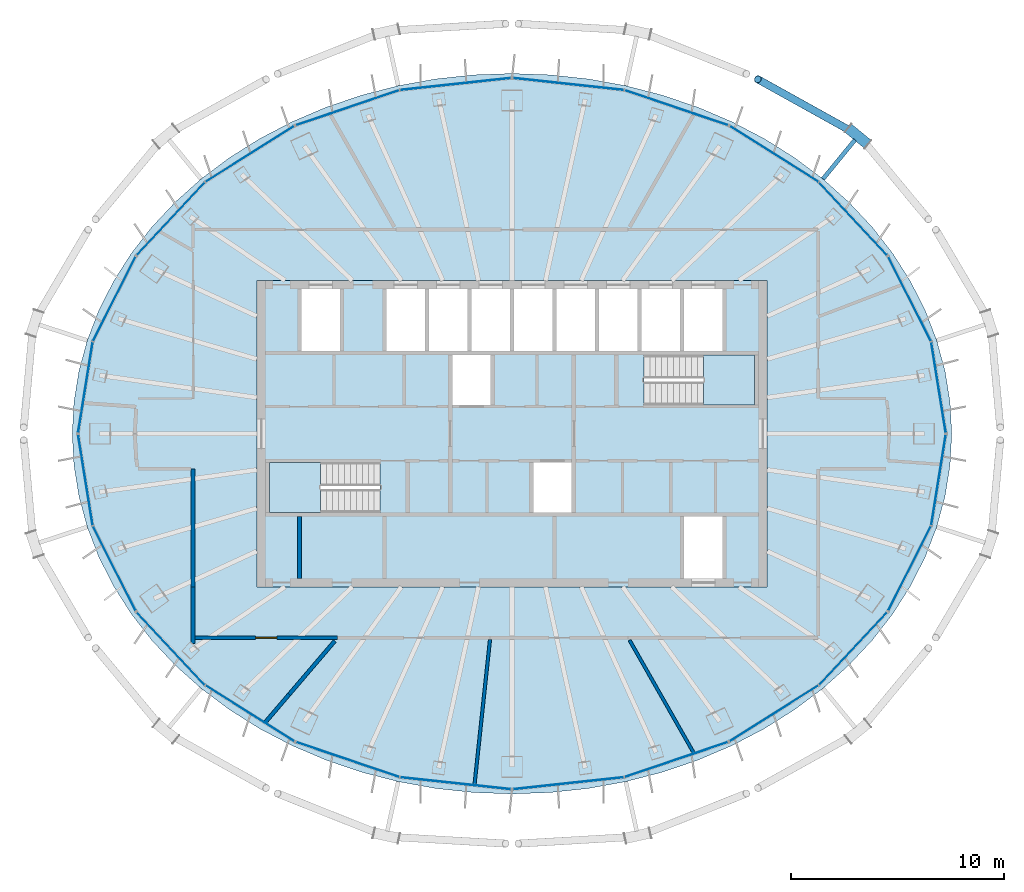
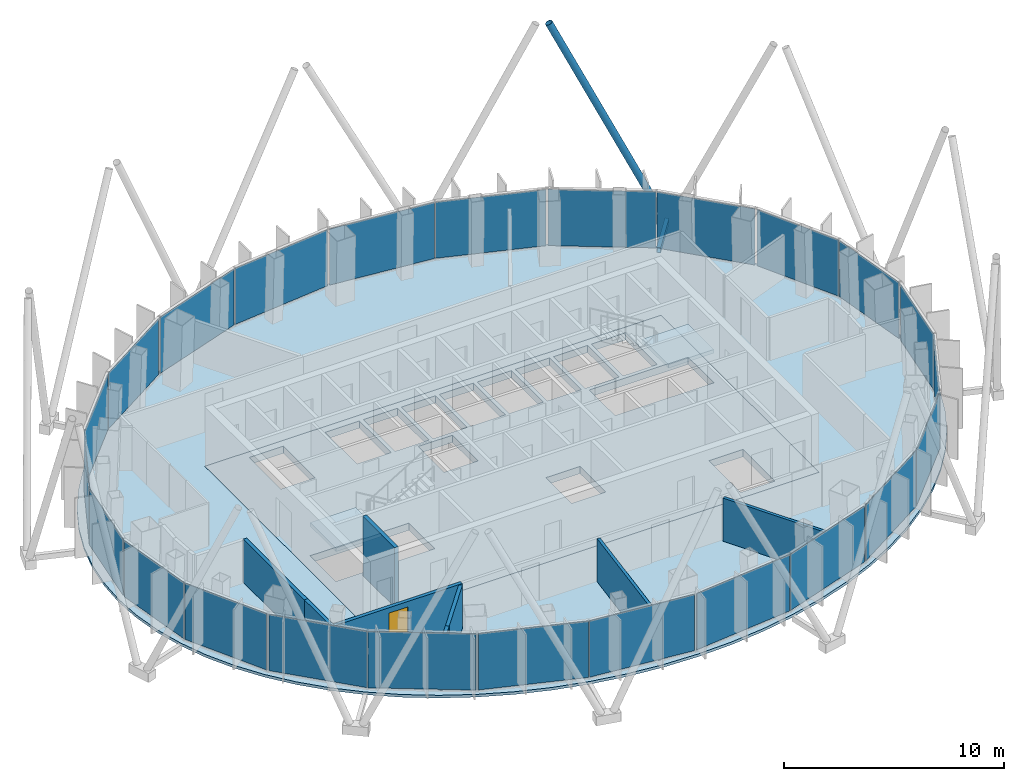
# One storey, part 8 of 18: 24 plates, 8 walls, 4 slabs, 3 members, 1 door, 1 opening, 14 elements without a shape of their own.
"""IFC4 building model written with IfcOpenShell, lengths in metres."""

from ifc_helpers import new_model, si_unit, direction, frame, frame_2d, origin, origin_2d, place, context, subcontext, project, spatial, polyline, rectangle, hollow_rectangle, hollow_circle, outline, extrude, material, layer, layer_set, material_profile, profile_set, type_object, element, fill, aggregate, save


model = new_model("IFC4")

# Units and contexts
model_context = context("Model", 3, precision=1e-05, world=origin(), true_north=direction((0.0, 1.0)))
body_context = subcontext(model_context, "Body", "Model", "MODEL_VIEW")
ifc_project = project(units=[si_unit("LENGTHUNIT", "METRE"), si_unit("AREAUNIT", "SQUARE_METRE"), si_unit("VOLUMEUNIT", "CUBIC_METRE"), si_unit("PLANEANGLEUNIT", "RADIAN"), si_unit("MASSUNIT", "GRAM", prefix="KILO")], contexts=[model_context])

# Site, building, storey
site_placement = place(None, origin())
site = spatial("IfcSite", under=ifc_project, at=site_placement, CompositionType="ELEMENT")
building_placement = place(site_placement, origin())
building = spatial("IfcBuilding", under=site, at=building_placement, Name="Siaravel Broadcast Tower", CompositionType="ELEMENT")
storey_placement = place(building_placement, frame((0.0, 0.0, 261.5)))
storey = spatial("IfcBuildingStorey", under=building, at=storey_placement, Name="L64", CompositionType="ELEMENT", Elevation=261.5)

# Members
ifc_material_1 = material(Name="Steel S460", Category="steel")
ifc_material_profile_1 = material_profile(ifc_material_1, hollow_circle(Radius=0.177734375, WallThickness=0.012451171875, at=origin_2d()))
ifc_profile_set_1 = profile_set([ifc_material_profile_1], Name="Steel S460")
member_type_1 = type_object("IfcMemberType", Name="Diagrid diagonal CHS 355.6x12.5", PredefinedType="BRACE", material=ifc_profile_set_1)
member_1_placement = place(storey_placement, frame((16.04443359375, 14.1787109375, 0.02001953125), z_axis=(-0.379036862, 0.210527879, 0.901115458), x_axis=(-0.485558059, -0.874204422, 0.0)))
element("IfcMember", 1, at=member_1_placement, inside=storey, type_object=member_type_1, Name="Diagrid diagonal R26 station 09A", PredefinedType="BRACE", context=body_context, shape_type="SweptSolid", body=[
    extrude(hollow_circle(Radius=0.177734375, WallThickness=0.012451171875, at=origin_2d()), origin(), (0.0, 0.0, 1.0), 11.82958984375),
])
ifc_material_profile_2 = material_profile(ifc_material_1, hollow_rectangle(XDim=0.5, YDim=0.5, WallThickness=0.031982421875, at=origin_2d()))
ifc_profile_set_2 = profile_set([ifc_material_profile_2], Name="Steel S460")
member_type_2 = type_object("IfcMemberType", Name="Diagrid node BOX 500x500x32", PredefinedType="USERDEFINED", material=ifc_profile_set_2)
member_2_placement = place(storey_placement, frame((16.732177734375, 13.615234375, -0.199951171875), z_axis=(-0.7735905, 0.633685835, 0.0), x_axis=(-0.633685835, -0.7735905, 0.0)))
element("IfcMember", 2, at=member_2_placement, inside=storey, type_object=member_type_2, Name="Diagrid node R26 station 09", ObjectType="DIAGRID NODE", PredefinedType="USERDEFINED", context=body_context, shape_type="SweptSolid", body=[
    extrude(hollow_rectangle(XDim=0.5, YDim=0.5, WallThickness=0.031982421875, at=origin_2d()), origin(), (0.0, 0.0, 1.0), 1.1865234375),
])
ifc_material_profile_3 = material_profile(ifc_material_1, hollow_rectangle(XDim=0.199951171875, YDim=0.300048828125, WallThickness=0.012451171875, at=origin_2d()))
ifc_profile_set_3 = profile_set([ifc_material_profile_3], Name="Steel S460")
member_type_3 = type_object("IfcMemberType", Name="Diagrid node arm RHS 300x200x12.5", PredefinedType="STRUT", material=ifc_profile_set_3)
member_3_placement = place(storey_placement, frame((14.62548828125, 11.97998046875, -0.199951171875), z_axis=(0.633734814, 0.773550377, 0.0), x_axis=(-0.773550377, 0.633734814, 0.0)))
element("IfcMember", 3, at=member_3_placement, inside=storey, type_object=member_type_3, Name="Node arm R26 station 09", PredefinedType="STRUT", context=body_context, shape_type="SweptSolid", body=[
    extrude(hollow_rectangle(XDim=0.199951171875, YDim=0.300048828125, WallThickness=0.012451171875, at=origin_2d()), origin(), (0.0, 0.0, 1.0), 2.380126953125),
])

# Curtain wall, plates
ifc_material_2 = material(Name="Aluminium 6063-T6", Category="aluminium")
ifc_layer_1 = layer(ifc_material_2, 0.159912109375)
ifc_layer_set_1 = layer_set([ifc_layer_1], Name="Aluminium 6063-T6")
curtain_wall_type = type_object("IfcCurtainWallType", Name="Unitised curtain wall, zone 4", PredefinedType="NOTDEFINED", material=ifc_layer_set_1)
curtain_wall_1_placement = place(storey_placement, origin())
curtain_wall_1 = element("IfcCurtainWall", 4, at=curtain_wall_1_placement, inside=storey, type_object=curtain_wall_type, Name="L64 Unitised curtain wall, zone 4 01", PredefinedType="NOTDEFINED")
ifc_material_3 = material(Name="Tinted insulated glass", Category="glass")
ifc_layer_2 = layer(ifc_material_3, 0.02587890625)
ifc_layer_set_2 = layer_set([ifc_layer_2], Name="Tinted insulated glass")
plate_type = type_object("IfcPlateType", Name="CW-Z4 glass panel", PredefinedType="CURTAIN_PANEL", material=ifc_layer_set_2)
plate_1_placement = place(storey_placement, frame((20.06298828125, 2.179931640625, 0.08984375), z_axis=(0.0, 0.0, 1.0), x_axis=(-0.158684574, 0.98732933, 0.0)))
plate_1 = element("IfcPlate", 5, at=plate_1_placement, type_object=plate_type, Name="CW-Z4 glass panel", PredefinedType="CURTAIN_PANEL", context=body_context, shape_type="SweptSolid", body=[
    extrude(rectangle(XDim=4.3056640625, YDim=0.02587890625, at=origin_2d()), origin(), (0.0, 0.0, 1.0), 3.1201171875),
])
plate_2_placement = place(storey_placement, frame((18.702880859375, 6.33837890625, 0.08984375), z_axis=(0.0, 0.0, 1.0), x_axis=(-0.451258942, 0.892393056, 0.0)))
plate_2 = element("IfcPlate", 6, at=plate_2_placement, type_object=plate_type, Name="CW-Z4 glass panel", PredefinedType="CURTAIN_PANEL", context=body_context, shape_type="SweptSolid", body=[
    extrude(rectangle(XDim=4.440185546875, YDim=0.02587890625, at=origin_2d()), origin(), (0.0, 0.0, 1.0), 3.1201171875),
])
aggregate(curtain_wall_1, [plate_1, plate_2])

curtain_wall_2_placement = place(storey_placement, origin())
curtain_wall_2 = element("IfcCurtainWall", 7, at=curtain_wall_2_placement, inside=storey, type_object=curtain_wall_type, Name="L64 Unitised curtain wall, zone 4 02", PredefinedType="NOTDEFINED")
plate_3_placement = place(storey_placement, frame((16.044189453125, 10.111083984375, 0.08984375), z_axis=(0.0, 0.0, 1.0), x_axis=(-0.683653472, 0.729806776, 0.0)))
plate_3 = element("IfcPlate", 8, at=plate_3_placement, type_object=plate_type, Name="CW-Z4 glass panel", PredefinedType="CURTAIN_PANEL", context=body_context, shape_type="SweptSolid", body=[
    extrude(rectangle(XDim=4.66455078125, YDim=0.02587890625, at=origin_2d()), origin(), (0.0, 0.0, 1.0), 3.1201171875),
])
plate_4_placement = place(storey_placement, frame((12.32861328125, 13.154541015625, 0.08984375), z_axis=(0.0, 0.0, 1.0), x_axis=(-0.846649661, 0.532150684, 0.0)))
plate_4 = element("IfcPlate", 9, at=plate_4_placement, type_object=plate_type, Name="CW-Z4 glass panel", PredefinedType="CURTAIN_PANEL", context=body_context, shape_type="SweptSolid", body=[
    extrude(rectangle(XDim=4.910888671875, YDim=0.02587890625, at=origin_2d()), origin(), (0.0, 0.0, 1.0), 3.1201171875),
])
aggregate(curtain_wall_2, [plate_3, plate_4])

curtain_wall_3_placement = place(storey_placement, origin())
curtain_wall_3 = element("IfcCurtainWall", 10, at=curtain_wall_3_placement, inside=storey, type_object=curtain_wall_type, Name="L64 Unitised curtain wall, zone 4 03", PredefinedType="NOTDEFINED")
plate_5_placement = place(storey_placement, frame((7.72900390625, 15.329833984375, 0.08984375), z_axis=(0.0, 0.0, 1.0), x_axis=(-0.946976915, 0.321301606, 0.0)))
plate_5 = element("IfcPlate", 11, at=plate_5_placement, type_object=plate_type, Name="CW-Z4 glass panel", PredefinedType="CURTAIN_PANEL", context=body_context, shape_type="SweptSolid", body=[
    extrude(rectangle(XDim=5.114990234375, YDim=0.02587890625, at=origin_2d()), origin(), (0.0, 0.0, 1.0), 3.1201171875),
])
plate_6_placement = place(storey_placement, frame((2.654296875, 16.44384765625, 0.08984375), z_axis=(0.0, 0.0, 1.0), x_axis=(-0.994235554, 0.107217829, 0.0)))
plate_6 = element("IfcPlate", 12, at=plate_6_placement, type_object=plate_type, Name="CW-Z4 glass panel", PredefinedType="CURTAIN_PANEL", context=body_context, shape_type="SweptSolid", body=[
    extrude(rectangle(XDim=5.229248046875, YDim=0.02587890625, at=origin_2d()), origin(), (0.0, 0.0, 1.0), 3.1201171875),
])
aggregate(curtain_wall_3, [plate_5, plate_6])

curtain_wall_4_placement = place(storey_placement, origin())
curtain_wall_4 = element("IfcCurtainWall", 13, at=curtain_wall_4_placement, inside=storey, type_object=curtain_wall_type, Name="L64 Unitised curtain wall, zone 4 04", PredefinedType="NOTDEFINED")
plate_7_placement = place(storey_placement, frame((-2.654296875, 16.44384765625, 0.08984375), z_axis=(0.0, 0.0, 1.0), x_axis=(-0.994235554, -0.107217829, 0.0)))
plate_7 = element("IfcPlate", 14, at=plate_7_placement, type_object=plate_type, Name="CW-Z4 glass panel", PredefinedType="CURTAIN_PANEL", context=body_context, shape_type="SweptSolid", body=[
    extrude(rectangle(XDim=5.229248046875, YDim=0.02587890625, at=origin_2d()), origin(), (0.0, 0.0, 1.0), 3.1201171875),
])
plate_8_placement = place(storey_placement, frame((-7.72900390625, 15.329833984375, 0.08984375), z_axis=(0.0, 0.0, 1.0), x_axis=(-0.946976915, -0.321301606, 0.0)))
plate_8 = element("IfcPlate", 15, at=plate_8_placement, type_object=plate_type, Name="CW-Z4 glass panel", PredefinedType="CURTAIN_PANEL", context=body_context, shape_type="SweptSolid", body=[
    extrude(rectangle(XDim=5.114990234375, YDim=0.02587890625, at=origin_2d()), origin(), (0.0, 0.0, 1.0), 3.1201171875),
])
aggregate(curtain_wall_4, [plate_7, plate_8])

curtain_wall_5_placement = place(storey_placement, origin())
curtain_wall_5 = element("IfcCurtainWall", 16, at=curtain_wall_5_placement, inside=storey, type_object=curtain_wall_type, Name="L64 Unitised curtain wall, zone 4 05", PredefinedType="NOTDEFINED")
plate_9_placement = place(storey_placement, frame((-12.32861328125, 13.154541015625, 0.08984375), z_axis=(0.0, 0.0, 1.0), x_axis=(-0.846649661, -0.532150684, 0.0)))
plate_9 = element("IfcPlate", 17, at=plate_9_placement, type_object=plate_type, Name="CW-Z4 glass panel", PredefinedType="CURTAIN_PANEL", context=body_context, shape_type="SweptSolid", body=[
    extrude(rectangle(XDim=4.910888671875, YDim=0.02587890625, at=origin_2d()), origin(), (0.0, 0.0, 1.0), 3.1201171875),
])
plate_10_placement = place(storey_placement, frame((-16.044189453125, 10.111083984375, 0.08984375), z_axis=(0.0, 0.0, 1.0), x_axis=(-0.683653472, -0.729806776, 0.0)))
plate_10 = element("IfcPlate", 18, at=plate_10_placement, type_object=plate_type, Name="CW-Z4 glass panel", PredefinedType="CURTAIN_PANEL", context=body_context, shape_type="SweptSolid", body=[
    extrude(rectangle(XDim=4.66455078125, YDim=0.02587890625, at=origin_2d()), origin(), (0.0, 0.0, 1.0), 3.1201171875),
])
aggregate(curtain_wall_5, [plate_9, plate_10])

curtain_wall_6_placement = place(storey_placement, origin())
curtain_wall_6 = element("IfcCurtainWall", 19, at=curtain_wall_6_placement, inside=storey, type_object=curtain_wall_type, Name="L64 Unitised curtain wall, zone 4 06", PredefinedType="NOTDEFINED")
plate_11_placement = place(storey_placement, frame((-18.702880859375, 6.33837890625, 0.08984375), z_axis=(0.0, 0.0, 1.0), x_axis=(-0.451258942, -0.892393056, 0.0)))
plate_11 = element("IfcPlate", 20, at=plate_11_placement, type_object=plate_type, Name="CW-Z4 glass panel", PredefinedType="CURTAIN_PANEL", context=body_context, shape_type="SweptSolid", body=[
    extrude(rectangle(XDim=4.440185546875, YDim=0.02587890625, at=origin_2d()), origin(), (0.0, 0.0, 1.0), 3.1201171875),
])
plate_12_placement = place(storey_placement, frame((-20.06298828125, 2.179931640625, 0.08984375), z_axis=(0.0, 0.0, 1.0), x_axis=(-0.158684574, -0.98732933, 0.0)))
plate_12 = element("IfcPlate", 21, at=plate_12_placement, type_object=plate_type, Name="CW-Z4 glass panel", PredefinedType="CURTAIN_PANEL", context=body_context, shape_type="SweptSolid", body=[
    extrude(rectangle(XDim=4.3056640625, YDim=0.02587890625, at=origin_2d()), origin(), (0.0, 0.0, 1.0), 3.1201171875),
])
aggregate(curtain_wall_6, [plate_11, plate_12])

curtain_wall_7_placement = place(storey_placement, origin())
curtain_wall_7 = element("IfcCurtainWall", 22, at=curtain_wall_7_placement, inside=storey, type_object=curtain_wall_type, Name="L64 Unitised curtain wall, zone 4 07", PredefinedType="NOTDEFINED")
plate_13_placement = place(storey_placement, frame((-20.06298828125, -2.179931640625, 0.08984375), z_axis=(0.0, 0.0, 1.0), x_axis=(0.158684574, -0.98732933, 0.0)))
plate_13 = element("IfcPlate", 23, at=plate_13_placement, type_object=plate_type, Name="CW-Z4 glass panel", PredefinedType="CURTAIN_PANEL", context=body_context, shape_type="SweptSolid", body=[
    extrude(rectangle(XDim=4.3056640625, YDim=0.02587890625, at=origin_2d()), origin(), (0.0, 0.0, 1.0), 3.1201171875),
])
plate_14_placement = place(storey_placement, frame((-18.702880859375, -6.33837890625, 0.08984375), z_axis=(0.0, 0.0, 1.0), x_axis=(0.451258942, -0.892393056, 0.0)))
plate_14 = element("IfcPlate", 24, at=plate_14_placement, type_object=plate_type, Name="CW-Z4 glass panel", PredefinedType="CURTAIN_PANEL", context=body_context, shape_type="SweptSolid", body=[
    extrude(rectangle(XDim=4.440185546875, YDim=0.02587890625, at=origin_2d()), origin(), (0.0, 0.0, 1.0), 3.1201171875),
])
aggregate(curtain_wall_7, [plate_13, plate_14])

curtain_wall_8_placement = place(storey_placement, origin())
curtain_wall_8 = element("IfcCurtainWall", 25, at=curtain_wall_8_placement, inside=storey, type_object=curtain_wall_type, Name="L64 Unitised curtain wall, zone 4 08", PredefinedType="NOTDEFINED")
plate_15_placement = place(storey_placement, frame((-16.044189453125, -10.111083984375, 0.08984375), z_axis=(0.0, 0.0, 1.0), x_axis=(0.683653472, -0.729806776, 0.0)))
plate_15 = element("IfcPlate", 26, at=plate_15_placement, type_object=plate_type, Name="CW-Z4 glass panel", PredefinedType="CURTAIN_PANEL", context=body_context, shape_type="SweptSolid", body=[
    extrude(rectangle(XDim=4.66455078125, YDim=0.02587890625, at=origin_2d()), origin(), (0.0, 0.0, 1.0), 3.1201171875),
])
plate_16_placement = place(storey_placement, frame((-12.32861328125, -13.154541015625, 0.08984375), z_axis=(0.0, 0.0, 1.0), x_axis=(0.846649661, -0.532150684, 0.0)))
plate_16 = element("IfcPlate", 27, at=plate_16_placement, type_object=plate_type, Name="CW-Z4 glass panel", PredefinedType="CURTAIN_PANEL", context=body_context, shape_type="SweptSolid", body=[
    extrude(rectangle(XDim=4.910888671875, YDim=0.02587890625, at=origin_2d()), origin(), (0.0, 0.0, 1.0), 3.1201171875),
])
aggregate(curtain_wall_8, [plate_15, plate_16])

curtain_wall_9_placement = place(storey_placement, origin())
curtain_wall_9 = element("IfcCurtainWall", 28, at=curtain_wall_9_placement, inside=storey, type_object=curtain_wall_type, Name="L64 Unitised curtain wall, zone 4 09", PredefinedType="NOTDEFINED")
plate_17_placement = place(storey_placement, frame((-7.72900390625, -15.329833984375, 0.08984375), z_axis=(0.0, 0.0, 1.0), x_axis=(0.946976915, -0.321301606, 0.0)))
plate_17 = element("IfcPlate", 29, at=plate_17_placement, type_object=plate_type, Name="CW-Z4 glass panel", PredefinedType="CURTAIN_PANEL", context=body_context, shape_type="SweptSolid", body=[
    extrude(rectangle(XDim=5.114990234375, YDim=0.02587890625, at=origin_2d()), origin(), (0.0, 0.0, 1.0), 3.1201171875),
])
plate_18_placement = place(storey_placement, frame((-2.654296875, -16.44384765625, 0.08984375), z_axis=(0.0, 0.0, 1.0), x_axis=(0.994235554, -0.107217829, 0.0)))
plate_18 = element("IfcPlate", 30, at=plate_18_placement, type_object=plate_type, Name="CW-Z4 glass panel", PredefinedType="CURTAIN_PANEL", context=body_context, shape_type="SweptSolid", body=[
    extrude(rectangle(XDim=5.229248046875, YDim=0.02587890625, at=origin_2d()), origin(), (0.0, 0.0, 1.0), 3.1201171875),
])
aggregate(curtain_wall_9, [plate_17, plate_18])

curtain_wall_10_placement = place(storey_placement, origin())
curtain_wall_10 = element("IfcCurtainWall", 31, at=curtain_wall_10_placement, inside=storey, type_object=curtain_wall_type, Name="L64 Unitised curtain wall, zone 4 10", PredefinedType="NOTDEFINED")
plate_19_placement = place(storey_placement, frame((2.654296875, -16.44384765625, 0.08984375), z_axis=(0.0, 0.0, 1.0), x_axis=(0.994235554, 0.107217829, 0.0)))
plate_19 = element("IfcPlate", 32, at=plate_19_placement, type_object=plate_type, Name="CW-Z4 glass panel", PredefinedType="CURTAIN_PANEL", context=body_context, shape_type="SweptSolid", body=[
    extrude(rectangle(XDim=5.229248046875, YDim=0.02587890625, at=origin_2d()), origin(), (0.0, 0.0, 1.0), 3.1201171875),
])
plate_20_placement = place(storey_placement, frame((7.72900390625, -15.329833984375, 0.08984375), z_axis=(0.0, 0.0, 1.0), x_axis=(0.946976915, 0.321301606, 0.0)))
plate_20 = element("IfcPlate", 33, at=plate_20_placement, type_object=plate_type, Name="CW-Z4 glass panel", PredefinedType="CURTAIN_PANEL", context=body_context, shape_type="SweptSolid", body=[
    extrude(rectangle(XDim=5.114990234375, YDim=0.02587890625, at=origin_2d()), origin(), (0.0, 0.0, 1.0), 3.1201171875),
])
aggregate(curtain_wall_10, [plate_19, plate_20])

curtain_wall_11_placement = place(storey_placement, origin())
curtain_wall_11 = element("IfcCurtainWall", 34, at=curtain_wall_11_placement, inside=storey, type_object=curtain_wall_type, Name="L64 Unitised curtain wall, zone 4 11", PredefinedType="NOTDEFINED")
plate_21_placement = place(storey_placement, frame((12.32861328125, -13.154541015625, 0.08984375), z_axis=(0.0, 0.0, 1.0), x_axis=(0.846649661, 0.532150684, 0.0)))
plate_21 = element("IfcPlate", 35, at=plate_21_placement, type_object=plate_type, Name="CW-Z4 glass panel", PredefinedType="CURTAIN_PANEL", context=body_context, shape_type="SweptSolid", body=[
    extrude(rectangle(XDim=4.910888671875, YDim=0.02587890625, at=origin_2d()), origin(), (0.0, 0.0, 1.0), 3.1201171875),
])
plate_22_placement = place(storey_placement, frame((16.044189453125, -10.111083984375, 0.08984375), z_axis=(0.0, 0.0, 1.0), x_axis=(0.683653472, 0.729806776, 0.0)))
plate_22 = element("IfcPlate", 36, at=plate_22_placement, type_object=plate_type, Name="CW-Z4 glass panel", PredefinedType="CURTAIN_PANEL", context=body_context, shape_type="SweptSolid", body=[
    extrude(rectangle(XDim=4.66455078125, YDim=0.02587890625, at=origin_2d()), origin(), (0.0, 0.0, 1.0), 3.1201171875),
])
aggregate(curtain_wall_11, [plate_21, plate_22])

curtain_wall_12_placement = place(storey_placement, origin())
curtain_wall_12 = element("IfcCurtainWall", 37, at=curtain_wall_12_placement, inside=storey, type_object=curtain_wall_type, Name="L64 Unitised curtain wall, zone 4 12", PredefinedType="NOTDEFINED")
plate_23_placement = place(storey_placement, frame((18.702880859375, -6.33837890625, 0.08984375), z_axis=(0.0, 0.0, 1.0), x_axis=(0.451258942, 0.892393056, 0.0)))
plate_23 = element("IfcPlate", 38, at=plate_23_placement, type_object=plate_type, Name="CW-Z4 glass panel", PredefinedType="CURTAIN_PANEL", context=body_context, shape_type="SweptSolid", body=[
    extrude(rectangle(XDim=4.440185546875, YDim=0.02587890625, at=origin_2d()), origin(), (0.0, 0.0, 1.0), 3.1201171875),
])
plate_24_placement = place(storey_placement, frame((20.06298828125, -2.179931640625, 0.08984375), z_axis=(0.0, 0.0, 1.0), x_axis=(0.158684574, 0.98732933, 0.0)))
plate_24 = element("IfcPlate", 39, at=plate_24_placement, type_object=plate_type, Name="CW-Z4 glass panel", PredefinedType="CURTAIN_PANEL", context=body_context, shape_type="SweptSolid", body=[
    extrude(rectangle(XDim=4.3056640625, YDim=0.02587890625, at=origin_2d()), origin(), (0.0, 0.0, 1.0), 3.1201171875),
])
aggregate(curtain_wall_12, [plate_23, plate_24])

# Slabs
ifc_material_4 = material(Name="Concrete C40/50", Category="concrete")
ifc_layer_3 = layer(ifc_material_4, 0.39990234375)
ifc_layer_set_3 = layer_set([ifc_layer_3], Name="Concrete C40/50")
slab_type_1 = type_object("IfcSlabType", Name="Core floor slab 400", PredefinedType="FLOOR", material=ifc_layer_set_3)
slab_1_placement = place(storey_placement, frame((0.0, 0.0, -0.39990234375)))
element("IfcSlab", 40, at=slab_1_placement, inside=storey, type_object=slab_type_1, Name="L64 core floor", PredefinedType="FLOOR", context=body_context, shape_type="SweptSolid", body=[
    extrude(outline(polyline([(-12.0, -7.199951171875), (-12.0, 7.199951171875), (12.0, 7.199951171875), (12.0, -7.199951171875), (-12.0, -7.199951171875)]), holes=[polyline([(11.3994140625, 1.3505859375), (11.3994140625, 3.699462890625), (6.200439453125, 3.699462890625), (6.200439453125, 1.3505859375), (11.3994140625, 1.3505859375)]), polyline([(8.10009765625, -3.89990234375), (8.10009765625, -6.800048828125), (9.89990234375, -6.800048828125), (9.89990234375, -3.89990234375), (8.10009765625, -3.89990234375)]), polyline([(9.89990234375, 6.800048828125), (8.10009765625, 6.800048828125), (8.10009765625, 3.89990234375), (9.89990234375, 3.89990234375), (9.89990234375, 6.800048828125)]), polyline([(7.89990234375, 6.800048828125), (6.10009765625, 6.800048828125), (6.10009765625, 3.89990234375), (7.89990234375, 3.89990234375), (7.89990234375, 6.800048828125)]), polyline([(5.89990234375, 6.800048828125), (4.10009765625, 6.800048828125), (4.10009765625, 3.89990234375), (5.89990234375, 3.89990234375), (5.89990234375, 6.800048828125)]), polyline([(3.89990234375, 6.800048828125), (2.10009765625, 6.800048828125), (2.10009765625, 3.89990234375), (3.89990234375, 3.89990234375), (3.89990234375, 6.800048828125)]), polyline([(2.800048828125, -1.35009765625), (1.0, -1.35009765625), (1.0, -3.699951171875), (2.800048828125, -3.699951171875), (2.800048828125, -1.35009765625)]), polyline([(1.89990234375, 6.800048828125), (0.10009765625, 6.800048828125), (0.10009765625, 3.89990234375), (1.89990234375, 3.89990234375), (1.89990234375, 6.800048828125)]), polyline([(-0.10009765625, 6.800048828125), (-1.89990234375, 6.800048828125), (-1.89990234375, 3.89990234375), (-0.10009765625, 3.89990234375), (-0.10009765625, 6.800048828125)]), polyline([(-1.0, 3.699951171875), (-2.800048828125, 3.699951171875), (-2.800048828125, 1.35009765625), (-1.0, 1.35009765625), (-1.0, 3.699951171875)]), polyline([(-2.10009765625, 6.800048828125), (-3.89990234375, 6.800048828125), (-3.89990234375, 3.89990234375), (-2.10009765625, 3.89990234375), (-2.10009765625, 6.800048828125)]), polyline([(-4.10009765625, 6.800048828125), (-5.89990234375, 6.800048828125), (-5.89990234375, 3.89990234375), (-4.10009765625, 3.89990234375), (-4.10009765625, 6.800048828125)]), polyline([(-11.3994140625, -3.699462890625), (-6.200439453125, -3.699462890625), (-6.200439453125, -1.3505859375), (-11.3994140625, -1.3505859375), (-11.3994140625, -3.699462890625)]), polyline([(-8.10009765625, 6.800048828125), (-9.89990234375, 6.800048828125), (-9.89990234375, 3.89990234375), (-8.10009765625, 3.89990234375), (-8.10009765625, 6.800048828125)])]), origin(), (0.0, 0.0, 1.0), 0.39990234375),
])
ifc_layer_4 = layer(ifc_material_4, 0.14990234375)
ifc_layer_set_4 = layer_set([ifc_layer_4], Name="Concrete C40/50")
slab_type_2 = type_object("IfcSlabType", Name="SLB-FLOOR-150", PredefinedType="FLOOR", material=ifc_layer_set_4)
slab_2_placement = place(storey_placement, frame((0.0, 0.0, -0.14990234375)))
element("IfcSlab", 41, at=slab_2_placement, inside=storey, type_object=slab_type_2, Name="Floor slab", PredefinedType="FLOOR", context=body_context, shape_type="SweptSolid", body=[
    extrude(outline(polyline([(20.68359375, 0.0), (20.60498046875, 1.4765625), (20.369384765625, 2.94189453125), (19.978759765625, 4.385009765625), (19.436279296875, 5.794677734375), (18.74560546875, 7.16015625), (17.91259765625, 8.47119140625), (16.943115234375, 9.717529296875), (15.844482421875, 10.89013671875), (14.62548828125, 11.97998046875), (13.295166015625, 12.978515625), (11.863525390625, 13.878173828125), (10.341796875, 14.67236328125), (8.7412109375, 15.354736328125), (7.07421875, 15.92041015625), (5.353271484375, 16.364990234375), (3.591796875, 16.684814453125), (1.802734375, 16.877685546875), (0.0, 16.942138671875), (-1.802734375, 16.877685546875), (-3.591796875, 16.684814453125), (-5.353271484375, 16.364990234375), (-7.07421875, 15.92041015625), (-8.7412109375, 15.354736328125), (-10.341796875, 14.67236328125), (-11.863525390625, 13.878173828125), (-13.295166015625, 12.978515625), (-14.62548828125, 11.97998046875), (-15.844482421875, 10.89013671875), (-16.943115234375, 9.717529296875), (-17.91259765625, 8.47119140625), (-18.74560546875, 7.16015625), (-19.436279296875, 5.794677734375), (-19.978759765625, 4.385009765625), (-20.369384765625, 2.94189453125), (-20.60498046875, 1.4765625), (-20.68359375, 0.0), (-20.60498046875, -1.4765625), (-20.369384765625, -2.94189453125), (-19.978759765625, -4.385009765625), (-19.436279296875, -5.794677734375), (-18.74560546875, -7.16015625), (-17.91259765625, -8.47119140625), (-16.943115234375, -9.717529296875), (-15.844482421875, -10.89013671875), (-14.62548828125, -11.97998046875), (-13.295166015625, -12.978515625), (-11.863525390625, -13.878173828125), (-10.341796875, -14.67236328125), (-8.7412109375, -15.354736328125), (-7.07421875, -15.92041015625), (-5.353271484375, -16.364990234375), (-3.591796875, -16.684814453125), (-1.802734375, -16.877685546875), (0.0, -16.942138671875), (1.802734375, -16.877685546875), (3.591796875, -16.684814453125), (5.353271484375, -16.364990234375), (7.07421875, -15.92041015625), (8.7412109375, -15.354736328125), (10.341796875, -14.67236328125), (11.863525390625, -13.878173828125), (13.295166015625, -12.978515625), (14.62548828125, -11.97998046875), (15.844482421875, -10.89013671875), (16.943115234375, -9.717529296875), (17.91259765625, -8.47119140625), (18.74560546875, -7.16015625), (19.436279296875, -5.794677734375), (19.978759765625, -4.385009765625), (20.369384765625, -2.94189453125), (20.60498046875, -1.4765625), (20.68359375, 0.0)]), holes=[polyline([(-12.0, 7.199951171875), (12.0, 7.199951171875), (12.0, -7.199951171875), (-12.0, -7.199951171875), (-12.0, 7.199951171875)])]), origin(), (0.0, 0.0, 1.0), 0.14990234375),
])

# Stair, slab
stair_type = type_object("IfcStairType", Name="Core exit stair", PredefinedType="HALF_TURN_STAIR", material=ifc_material_4)
stair_1_placement = place(storey_placement, origin())
stair_1 = element("IfcStair", 42, at=stair_1_placement, inside=storey, type_object=stair_type, Name="L64 Exit stair ST-1", PredefinedType="HALF_TURN_STAIR")
ifc_layer_5 = layer(ifc_material_4, 0.199951171875)
ifc_layer_set_5 = layer_set([ifc_layer_5], Name="Concrete C40/50")
slab_type_3 = type_object("IfcSlabType", Name="Stair landing", PredefinedType="LANDING", material=ifc_layer_set_5)
slab_3_placement = place(storey_placement, frame((0.0, 0.0, 1.64990234375)))
slab_3 = element("IfcSlab", 43, at=slab_3_placement, type_object=slab_type_3, Name="ST-1 landing 1", PredefinedType="LANDING", context=body_context, shape_type="SweptSolid", body=[
    extrude(outline(polyline([(-9.0, -1.35009765625), (-11.39990234375, -1.35009765625), (-11.39990234375, -3.699951171875), (-9.0, -3.699951171875), (-9.0, -1.35009765625)])), origin(), (0.0, 0.0, 1.0), 0.2001953125),
])
aggregate(stair_1, [slab_3])

stair_2_placement = place(storey_placement, origin())
stair_2 = element("IfcStair", 44, at=stair_2_placement, inside=storey, type_object=stair_type, Name="L64 Exit stair ST-2", PredefinedType="HALF_TURN_STAIR")
slab_4_placement = place(storey_placement, frame((0.0, 0.0, 1.64990234375)))
slab_4 = element("IfcSlab", 45, at=slab_4_placement, type_object=slab_type_3, Name="ST-2 landing 1", PredefinedType="LANDING", context=body_context, shape_type="SweptSolid", body=[
    extrude(outline(polyline([(9.0, 1.35009765625), (11.39990234375, 1.35009765625), (11.39990234375, 3.699951171875), (9.0, 3.699951171875), (9.0, 1.35009765625)])), origin(), (0.0, 0.0, 1.0), 0.2001953125),
])
aggregate(stair_2, [slab_4])

# Walls
ifc_material_5 = material(Name="Gypsum board partition", Category="gypsum")
ifc_layer_6 = layer(ifc_material_5, 0.14990234375)
ifc_layer_set_6 = layer_set([ifc_layer_6], Name="Gypsum board partition")
wall_type_1 = type_object("IfcWallType", Name="Room partition 150", PredefinedType="PARTITIONING", material=ifc_layer_set_6)
wall_1_placement = place(storey_placement, frame((-1.761962890625, -16.496826171875, 0.0), z_axis=(0.0, 0.0, 1.0), x_axis=(0.106202171, 0.994344557, 0.0)))
element("IfcWall", 46, at=wall_1_placement, inside=storey, type_object=wall_type_1, Name="L64 partition 6", PredefinedType="PARTITIONING", context=body_context, shape_type="SweptSolid", body=[
    extrude(rectangle(XDim=6.8505859375, YDim=0.14990234375, at=frame_2d((3.42529296875, 0.0))), origin(), (0.0, 0.0, 1.0), 2.39990234375),
])
wall_2_placement = place(storey_placement, frame((8.54638671875, -15.01220703125, 0.0), z_axis=(0.0, 0.0, 1.0), x_axis=(-0.494775621, 0.869020762, 0.0)))
element("IfcWall", 47, at=wall_2_placement, inside=storey, type_object=wall_type_1, Name="L64 partition 10", PredefinedType="PARTITIONING", context=body_context, shape_type="SweptSolid", body=[
    extrude(rectangle(XDim=6.096923828125, YDim=0.14990234375, at=frame_2d((3.04833984375, 0.0))), origin(), (0.0, 0.0, 1.0), 2.39990234375),
])

# Wall, opening, door
ifc_material_6 = material(Name="Concrete blockwork", Category="masonry")
ifc_layer_7 = layer(ifc_material_6, 0.179931640625)
ifc_layer_set_7 = layer_set([ifc_layer_7], Name="Concrete blockwork")
wall_type_2 = type_object("IfcWallType", Name="Service room fire partition 180", PredefinedType="PARTITIONING", material=ifc_layer_set_7)
wall_3_placement = place(storey_placement, frame((-14.90380859375, -9.60009765625, 0.0), z_axis=(0.0, 0.0, 1.0), x_axis=(1.0, 0.0, 0.0)))
wall_3 = element("IfcWall", 48, at=wall_3_placement, inside=storey, type_object=wall_type_2, Name="L64 partition 7", PredefinedType="PARTITIONING", context=body_context, shape_type="SweptSolid", body=[
    extrude(rectangle(XDim=6.697509765625, YDim=0.179931640625, at=frame_2d((3.3486328125, 0.0))), origin(), (0.0, 0.0, 1.0), 2.39990234375),
])
opening_placement = place(wall_3_placement, frame((2.8486328125, 0.0, 0.0)))
opening = element("IfcOpeningElement", 49, at=opening_placement, cuts=wall_3, Name="Opening L64-006", PredefinedType="OPENING", context=body_context, shape_type="SweptSolid", body=[
    extrude(rectangle(XDim=1.0, YDim=2.10009765625, at=frame_2d((0.5, 1.050048828125))), frame((0.0, 0.099853515625, 0.0), z_axis=(0.0, -1.0, 0.0), x_axis=(1.0, 0.0, 0.0)), (0.0, 0.0, 1.0), 0.199951171875),
])
ifc_material_7 = material(Name="Steel", Category="steel")
door_type = type_object("IfcDoorType", Name="Service room door 1000", OperationType="SINGLE_SWING_LEFT", PredefinedType="DOOR", material=ifc_material_7)
door_placement = place(opening_placement, origin())
door = element("IfcDoor", 50, at=door_placement, inside=storey, type_object=door_type, Name="L64 door to Library", OperationType="SINGLE_SWING_RIGHT", OverallHeight=2.10009765625, OverallWidth=1.0, PredefinedType="DOOR", context=body_context, shape_type="SweptSolid", body=[
    extrude(rectangle(XDim=1.0, YDim=2.10009765625, at=frame_2d((0.5, 1.050048828125))), frame((0.0, 0.02490234375, 0.0), z_axis=(0.0, -1.0, 0.0), x_axis=(1.0, 0.0, 0.0)), (0.0, 0.0, 1.0), 0.050048828125),
])
fill(opening, door)

# Walls
wall_4_placement = place(storey_placement, frame((-15.0, -1.64990234375, 0.0), z_axis=(0.0, 0.0, 1.0), x_axis=(0.0, -1.0, 0.0)))
element("IfcWall", 51, at=wall_4_placement, inside=storey, type_object=wall_type_2, Name="L64 partition 12", PredefinedType="PARTITIONING", context=body_context, shape_type="SweptSolid", body=[
    extrude(rectangle(XDim=5.56201171875, YDim=0.179931640625, at=frame_2d((2.781005859375, 0.0))), origin(), (0.0, 0.0, 1.0), 2.39990234375),
])
wall_5_placement = place(storey_placement, frame((-10.481201171875, -12.26123046875, 0.0), z_axis=(0.0, 0.0, 1.0), x_axis=(0.649743959, 0.760153135, 0.0)))
element("IfcWall", 52, at=wall_5_placement, inside=storey, type_object=wall_type_2, Name="L64 partition 17", PredefinedType="PARTITIONING", context=body_context, shape_type="SweptSolid", body=[
    extrude(rectangle(XDim=3.303466796875, YDim=0.179931640625, at=frame_2d((1.65185546875, 0.0))), origin(), (0.0, 0.0, 1.0), 2.39990234375),
])
wall_6_placement = place(storey_placement, frame((-15.0, -7.212890625, 0.0), z_axis=(0.0, 0.0, 1.0), x_axis=(0.0, -1.0, 0.0)))
element("IfcWall", 53, at=wall_6_placement, inside=storey, type_object=wall_type_2, Name="L64 partition 20", PredefinedType="PARTITIONING", context=body_context, shape_type="SweptSolid", body=[
    extrude(rectangle(XDim=2.645263671875, YDim=0.179931640625, at=frame_2d((1.32275390625, 0.0))), origin(), (0.0, 0.0, 1.0), 2.39990234375),
])
wall_7_placement = place(storey_placement, frame((-11.60009765625, -13.570068359375, 0.0), z_axis=(0.0, 0.0, 1.0), x_axis=(0.64976264, 0.760137167, 0.0)))
element("IfcWall", 54, at=wall_7_placement, inside=storey, type_object=wall_type_2, Name="L64 partition 28", PredefinedType="PARTITIONING", context=body_context, shape_type="SweptSolid", body=[
    extrude(rectangle(XDim=1.720947265625, YDim=0.179931640625, at=frame_2d((0.8603515625, 0.0))), origin(), (0.0, 0.0, 1.0), 2.39990234375),
])
ifc_material_8 = material(Name="Concrete C60/75", Category="concrete")
ifc_layer_8 = layer(ifc_material_8, 0.199951171875)
ifc_layer_set_8 = layer_set([ifc_layer_8], Name="Concrete C60/75")
wall_type_3 = type_object("IfcWallType", Name="Shaft wall 200", PredefinedType="SHEAR", material=ifc_layer_set_8)
wall_8_placement = place(storey_placement, frame((-10.0, -6.800048828125, 0.0), z_axis=(0.0, 0.0, 1.0), x_axis=(0.0, 1.0, 0.0)))
element("IfcWall", 55, at=wall_8_placement, inside=storey, type_object=wall_type_3, Name="L64 core wall SWS0", PredefinedType="SHEAR", context=body_context, shape_type="SweptSolid", body=[
    extrude(rectangle(XDim=2.900146484375, YDim=0.199951171875, at=frame_2d((1.4501953125, 0.0))), origin(), (0.0, 0.0, 1.0), 3.300048828125),
])

save(model, "model.ifc")
